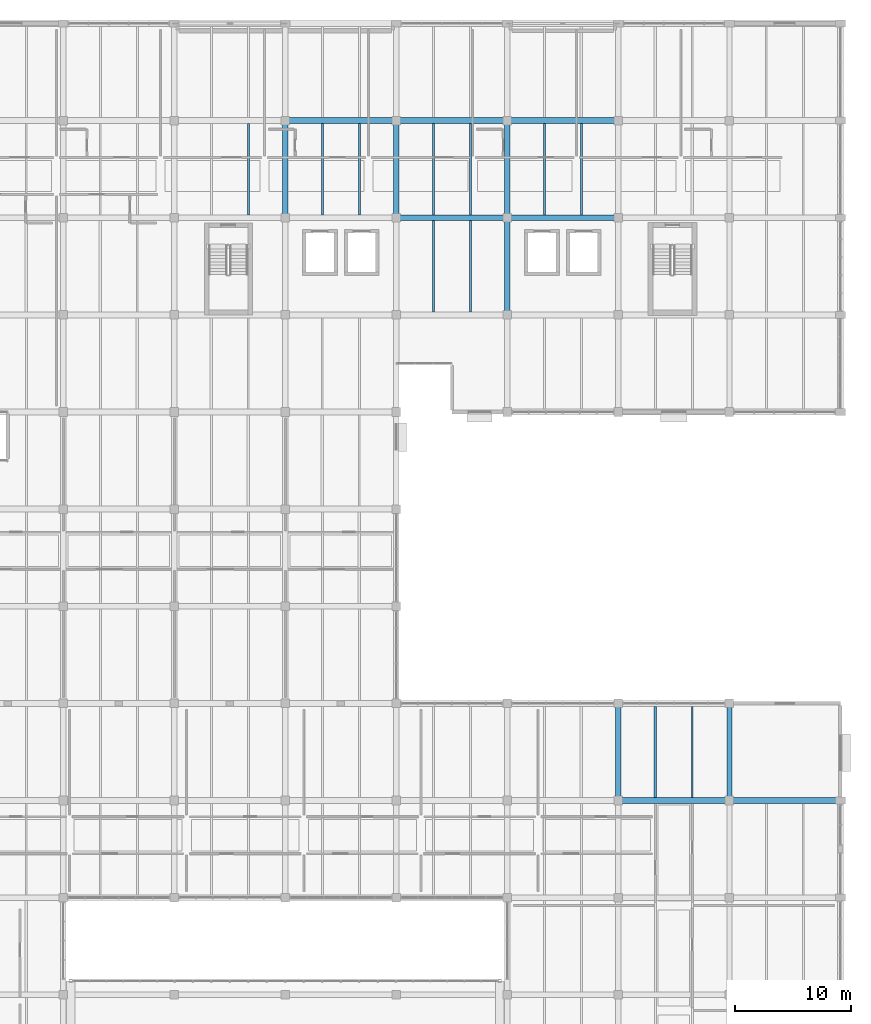
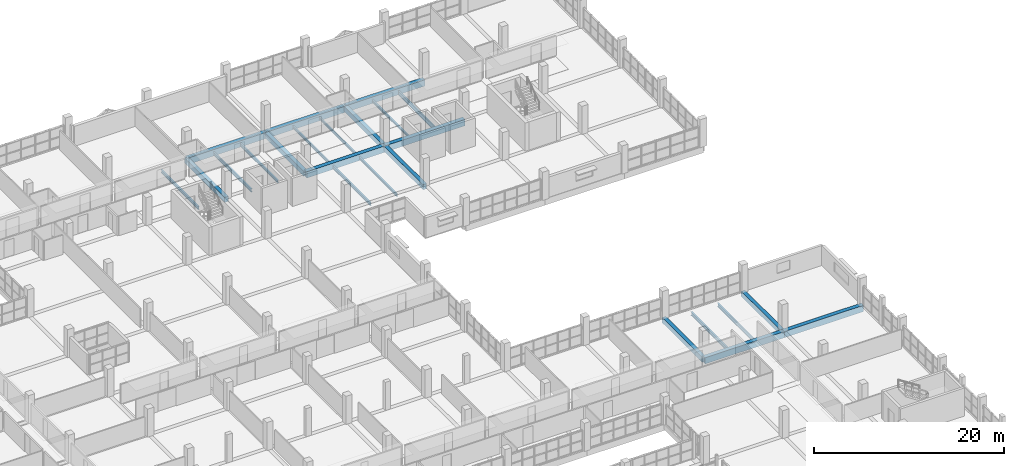
# One storey, part 81 of 147: 24 beams.
"""IFC4 building model written with IfcOpenShell, lengths in metres."""

from ifc_helpers import new_model, si_unit, direction, frame, origin, origin_2d, place, context, subcontext, project, spatial, rectangle, i_section, extrude, material, material_profile, profile_set, type_object, element, save


model = new_model("IFC4")

# Units and contexts
model_context = context("Model", 3, precision=1e-05, world=origin(), true_north=direction((0.0, 1.0)))
body_context = subcontext(model_context, "Body", "Model", "MODEL_VIEW")
ifc_project = project(units=[si_unit("LENGTHUNIT", "METRE"), si_unit("AREAUNIT", "SQUARE_METRE"), si_unit("VOLUMEUNIT", "CUBIC_METRE"), si_unit("PLANEANGLEUNIT", "RADIAN"), si_unit("MASSUNIT", "GRAM", prefix="KILO")], contexts=[model_context])

# Site, building, storey
site_placement = place(None, origin())
site = spatial("IfcSite", under=ifc_project, at=site_placement, CompositionType="ELEMENT")
building_placement = place(site_placement, origin())
building = spatial("IfcBuilding", under=site, at=building_placement, Name="Oolite Switchyard Hospital", CompositionType="ELEMENT")
storey_placement = place(building_placement, frame((0.0, 0.0, 9.89990234375)))
storey = spatial("IfcBuildingStorey", under=building, at=storey_placement, Name="L02", CompositionType="ELEMENT", Elevation=9.89990234375)

# Beams
ifc_material_1 = material(Name="Concrete C40/50", Category="concrete")
ifc_material_profile_1 = material_profile(ifc_material_1, rectangle(XDim=0.449951171875, YDim=0.64990234375, at=origin_2d()), Name="RCB450X650")
ifc_profile_set_1 = profile_set([ifc_material_profile_1], Name="Concrete C40/50")
beam_type_1 = type_object("IfcBeamType", Name="BM-RC450X650", PredefinedType="BEAM", material=ifc_profile_set_1)
for number, where, z_axis, x_axis, name in (
    (1, (163.199951171875, 117.60009765625, -0.324951171875), (0.0, 1.0, 0.0), (-1.0, 0.0, 0.0), "L02 Y-Girder 1452"),
    (2, (172.800048828125, 117.60009765625, -0.324951171875), (0.0, 1.0, 0.0), (-1.0, 0.0, 0.0), "L02 Y-Girder 1463"),
):
    element("IfcBeam", number, at=place(storey_placement, frame(where, z_axis=z_axis, x_axis=x_axis)), inside=storey, type_object=beam_type_1, Name=name, PredefinedType="BEAM", context=body_context, shape_type="SweptSolid", body=[
        extrude(rectangle(XDim=0.449951171875, YDim=0.64990234375, at=origin_2d()), origin(), (0.0, 0.0, 1.0), 8.39990234375),
    ])
beam_1_placement = place(storey_placement, frame((182.39990234375, 109.199951171875, -0.324951171875), z_axis=(0.0, 1.0, 0.0), x_axis=(-1.0, 0.0, 0.0)))
element("IfcBeam", 3, at=beam_1_placement, inside=storey, type_object=beam_type_1, Name="L02 Y-Girder 1476", PredefinedType="BEAM", context=body_context, shape_type="SweptSolid", body=[
    extrude(rectangle(XDim=0.449951171875, YDim=0.64990234375, at=origin_2d()), origin(), (0.0, 0.0, 1.0), 8.400146484375),
])
beam_2_placement = place(storey_placement, frame((182.39990234375, 117.60009765625, -0.324951171875), z_axis=(0.0, 1.0, 0.0), x_axis=(-1.0, 0.0, 0.0)))
element("IfcBeam", 4, at=beam_2_placement, inside=storey, type_object=beam_type_1, Name="L02 Y-Girder 1477", PredefinedType="BEAM", context=body_context, shape_type="SweptSolid", body=[
    extrude(rectangle(XDim=0.449951171875, YDim=0.64990234375, at=origin_2d()), origin(), (0.0, 0.0, 1.0), 8.39990234375),
])
for number, where, z_axis, x_axis, name in (
    (5, (192.0, 67.199951171875, -0.324951171875), (0.0, 1.0, 0.0), (-1.0, 0.0, 0.0), "L02 Y-Girder 1486"),
    (6, (201.60009765625, 67.199951171875, -0.324951171875), (0.0, 1.0, 0.0), (-1.0, 0.0, 0.0), "L02 Y-Girder 1498"),
):
    element("IfcBeam", number, at=place(storey_placement, frame(where, z_axis=z_axis, x_axis=x_axis)), inside=storey, type_object=beam_type_1, Name=name, PredefinedType="BEAM", context=body_context, shape_type="SweptSolid", body=[
        extrude(rectangle(XDim=0.449951171875, YDim=0.64990234375, at=origin_2d()), origin(), (0.0, 0.0, 1.0), 8.400146484375),
    ])
ifc_material_profile_2 = material_profile(ifc_material_1, rectangle(XDim=0.5, YDim=0.800048828125, at=origin_2d()), Name="RCB500X800")
ifc_profile_set_2 = profile_set([ifc_material_profile_2], Name="Concrete C40/50")
beam_type_2 = type_object("IfcBeamType", Name="BM-RC500X800", PredefinedType="BEAM", material=ifc_profile_set_2)
beam_3_placement = place(storey_placement, frame((192.0, 67.199951171875, -0.39990234375), z_axis=(1.0, 0.0, 0.0), x_axis=(0.0, 1.0, 0.0)))
element("IfcBeam", 7, at=beam_3_placement, inside=storey, type_object=beam_type_2, Name="L02 X-Girder 1108", PredefinedType="BEAM", context=body_context, shape_type="SweptSolid", body=[
    extrude(rectangle(XDim=0.5, YDim=0.800048828125, at=origin_2d()), origin(), (0.0, 0.0, 1.0), 9.60009765625),
])
for number, where, z_axis, x_axis, name in (
    (8, (201.60009765625, 67.199951171875, -0.39990234375), (1.0, 0.0, 0.0), (0.0, 1.0, 0.0), "L02 X-Girder 1109"),
    (9, (172.800048828125, 117.60009765625, -0.39990234375), (1.0, 0.0, 0.0), (0.0, 1.0, 0.0), "L02 X-Girder 1215"),
):
    element("IfcBeam", number, at=place(storey_placement, frame(where, z_axis=z_axis, x_axis=x_axis)), inside=storey, type_object=beam_type_2, Name=name, PredefinedType="BEAM", context=body_context, shape_type="SweptSolid", body=[
        extrude(rectangle(XDim=0.5, YDim=0.800048828125, at=origin_2d()), origin(), (0.0, 0.0, 1.0), 9.599853515625),
    ])
for number, where, z_axis, x_axis, name in (
    (10, (182.39990234375, 117.60009765625, -0.39990234375), (1.0, 0.0, 0.0), (0.0, 1.0, 0.0), "L02 X-Girder 1216"),
    (11, (163.199951171875, 126.0, -0.39990234375), (1.0, 0.0, 0.0), (0.0, 1.0, 0.0), "L02 X-Girder 1230"),
):
    element("IfcBeam", number, at=place(storey_placement, frame(where, z_axis=z_axis, x_axis=x_axis)), inside=storey, type_object=beam_type_2, Name=name, PredefinedType="BEAM", context=body_context, shape_type="SweptSolid", body=[
        extrude(rectangle(XDim=0.5, YDim=0.800048828125, at=origin_2d()), origin(), (0.0, 0.0, 1.0), 9.60009765625),
    ])
beam_4_placement = place(storey_placement, frame((172.800048828125, 126.0, -0.39990234375), z_axis=(1.0, 0.0, 0.0), x_axis=(0.0, 1.0, 0.0)))
element("IfcBeam", 12, at=beam_4_placement, inside=storey, type_object=beam_type_2, Name="L02 X-Girder 1231", PredefinedType="BEAM", context=body_context, shape_type="SweptSolid", body=[
    extrude(rectangle(XDim=0.5, YDim=0.800048828125, at=origin_2d()), origin(), (0.0, 0.0, 1.0), 9.599853515625),
])
beam_5_placement = place(storey_placement, frame((182.39990234375, 126.0, -0.39990234375), z_axis=(1.0, 0.0, 0.0), x_axis=(0.0, 1.0, 0.0)))
element("IfcBeam", 13, at=beam_5_placement, inside=storey, type_object=beam_type_2, Name="L02 X-Girder 1232", PredefinedType="BEAM", context=body_context, shape_type="SweptSolid", body=[
    extrude(rectangle(XDim=0.5, YDim=0.800048828125, at=origin_2d()), origin(), (0.0, 0.0, 1.0), 9.60009765625),
])
ifc_material_2 = material(Name="Steel ASTM A992 Grade 50", Category="steel")
ifc_material_profile_3 = material_profile(ifc_material_2, i_section(OverallWidth=0.1650390625, OverallDepth=0.31005859375, WebThickness=0.006103515625, FlangeThickness=0.010009765625, at=origin_2d()), Name="W12X26")
ifc_profile_set_3 = profile_set([ifc_material_profile_3], Name="Steel ASTM A992 Grade 50")
beam_type_3 = type_object("IfcBeamType", Name="BM-W12X26", PredefinedType="JOIST", material=ifc_profile_set_3)
for number, where, z_axis, x_axis, name in (
    (14, (179.199951171875, 117.85009765625, -0.414794921875), (0.0, 1.0, 0.0), (-1.0, 0.0, 0.0), "L02 Secondary Steel Joist 1863"),
    (15, (185.60009765625, 117.85009765625, -0.414794921875), (0.0, 1.0, 0.0), (-1.0, 0.0, 0.0), "L02 Secondary Steel Joist 1884"),
):
    element("IfcBeam", number, at=place(storey_placement, frame(where, z_axis=z_axis, x_axis=x_axis)), inside=storey, type_object=beam_type_3, Name=name, PredefinedType="JOIST", context=body_context, shape_type="SweptSolid", body=[
        extrude(i_section(OverallWidth=0.1650390625, OverallDepth=0.31005859375, WebThickness=0.006103515625, FlangeThickness=0.010009765625, at=origin_2d()), origin(), (0.0, 0.0, 1.0), 7.89990234375),
    ])
ifc_material_profile_4 = material_profile(ifc_material_2, i_section(OverallWidth=0.1708984375, OverallDepth=0.35107421875, WebThickness=0.007080078125, FlangeThickness=0.010009765625, at=origin_2d()), Name="W14X30")
ifc_profile_set_4 = profile_set([ifc_material_profile_4], Name="Steel ASTM A992 Grade 50")
beam_type_4 = type_object("IfcBeamType", Name="BM-W14X30", PredefinedType="JOIST", material=ifc_profile_set_4)
beam_6_placement = place(storey_placement, frame((169.60009765625, 117.85009765625, -0.434814453125), z_axis=(0.0, 1.0, 0.0), x_axis=(-1.0, 0.0, 0.0)))
element("IfcBeam", 16, at=beam_6_placement, inside=storey, type_object=beam_type_4, Name="L02 Secondary Steel Joist 1849", PredefinedType="JOIST", context=body_context, shape_type="SweptSolid", body=[
    extrude(i_section(OverallWidth=0.1708984375, OverallDepth=0.35107421875, WebThickness=0.007080078125, FlangeThickness=0.010009765625, at=origin_2d()), origin(), (0.0, 0.0, 1.0), 7.89990234375),
])
beam_7_placement = place(storey_placement, frame((179.199951171875, 109.449951171875, -0.434814453125), z_axis=(0.0, 1.0, 0.0), x_axis=(-1.0, 0.0, 0.0)))
element("IfcBeam", 17, at=beam_7_placement, inside=storey, type_object=beam_type_4, Name="L02 Secondary Steel Joist 1861", PredefinedType="JOIST", context=body_context, shape_type="SweptSolid", body=[
    extrude(i_section(OverallWidth=0.1708984375, OverallDepth=0.35107421875, WebThickness=0.007080078125, FlangeThickness=0.010009765625, at=origin_2d()), origin(), (0.0, 0.0, 1.0), 7.900146484375),
])
beam_8_placement = place(storey_placement, frame((176.0, 117.85009765625, -0.434814453125), z_axis=(0.0, 1.0, 0.0), x_axis=(-1.0, 0.0, 0.0)))
element("IfcBeam", 18, at=beam_8_placement, inside=storey, type_object=beam_type_4, Name="L02 Secondary Steel Joist 1862", PredefinedType="JOIST", context=body_context, shape_type="SweptSolid", body=[
    extrude(i_section(OverallWidth=0.1708984375, OverallDepth=0.35107421875, WebThickness=0.007080078125, FlangeThickness=0.010009765625, at=origin_2d()), origin(), (0.0, 0.0, 1.0), 7.89990234375),
])
ifc_material_profile_5 = material_profile(ifc_material_2, i_section(OverallWidth=0.177978515625, OverallDepth=0.403076171875, WebThickness=0.008056640625, FlangeThickness=0.010986328125, at=origin_2d()), Name="W16X36")
ifc_profile_set_5 = profile_set([ifc_material_profile_5], Name="Steel ASTM A992 Grade 50")
beam_type_5 = type_object("IfcBeamType", Name="BM-W16X36", PredefinedType="JOIST", material=ifc_profile_set_5)
for number, where, z_axis, x_axis, name in (
    (19, (160.0, 117.85009765625, -0.4609375), (0.0, 1.0, 0.0), (-1.0, 0.0, 0.0), "L02 Secondary Steel Joist 1829"),
    (20, (166.39990234375, 117.85009765625, -0.4609375), (0.0, 1.0, 0.0), (-1.0, 0.0, 0.0), "L02 Secondary Steel Joist 1848"),
):
    element("IfcBeam", number, at=place(storey_placement, frame(where, z_axis=z_axis, x_axis=x_axis)), inside=storey, type_object=beam_type_5, Name=name, PredefinedType="JOIST", context=body_context, shape_type="SweptSolid", body=[
        extrude(i_section(OverallWidth=0.177978515625, OverallDepth=0.403076171875, WebThickness=0.008056640625, FlangeThickness=0.010986328125, at=origin_2d()), origin(), (0.0, 0.0, 1.0), 7.89990234375),
    ])
beam_9_placement = place(storey_placement, frame((176.0, 109.449951171875, -0.4609375), z_axis=(0.0, 1.0, 0.0), x_axis=(-1.0, 0.0, 0.0)))
element("IfcBeam", 21, at=beam_9_placement, inside=storey, type_object=beam_type_5, Name="L02 Secondary Steel Joist 1860", PredefinedType="JOIST", context=body_context, shape_type="SweptSolid", body=[
    extrude(i_section(OverallWidth=0.177978515625, OverallDepth=0.403076171875, WebThickness=0.008056640625, FlangeThickness=0.010986328125, at=origin_2d()), origin(), (0.0, 0.0, 1.0), 7.900146484375),
])
ifc_material_profile_6 = material_profile(ifc_material_2, i_section(OverallWidth=0.153076171875, OverallDepth=0.455078125, WebThickness=0.008056640625, FlangeThickness=0.012939453125, at=origin_2d()), Name="W18X40")
ifc_profile_set_6 = profile_set([ifc_material_profile_6], Name="Steel ASTM A992 Grade 50")
beam_type_6 = type_object("IfcBeamType", Name="BM-W18X40", PredefinedType="JOIST", material=ifc_profile_set_6)
beam_10_placement = place(storey_placement, frame((198.39990234375, 67.449951171875, -0.48681640625), z_axis=(0.0, 1.0, 0.0), x_axis=(-1.0, 0.0, 0.0)))
element("IfcBeam", 22, at=beam_10_placement, inside=storey, type_object=beam_type_6, Name="L02 Secondary Steel Joist 1903", PredefinedType="JOIST", context=body_context, shape_type="SweptSolid", body=[
    extrude(i_section(OverallWidth=0.153076171875, OverallDepth=0.455078125, WebThickness=0.008056640625, FlangeThickness=0.012939453125, at=origin_2d()), origin(), (0.0, 0.0, 1.0), 7.900146484375),
])
ifc_material_profile_7 = material_profile(ifc_material_2, i_section(OverallWidth=0.19091796875, OverallDepth=0.4599609375, WebThickness=0.010009765625, FlangeThickness=0.01611328125, at=origin_2d()), Name="W18X55")
ifc_profile_set_7 = profile_set([ifc_material_profile_7], Name="Steel ASTM A992 Grade 50")
beam_type_7 = type_object("IfcBeamType", Name="BM-W18X55", PredefinedType="JOIST", material=ifc_profile_set_7)
beam_11_placement = place(storey_placement, frame((195.199951171875, 67.449951171875, -0.489990234375), z_axis=(0.0, 1.0, 0.0), x_axis=(-1.0, 0.0, 0.0)))
element("IfcBeam", 23, at=beam_11_placement, inside=storey, type_object=beam_type_7, Name="L02 Secondary Steel Joist 1902", PredefinedType="JOIST", context=body_context, shape_type="SweptSolid", body=[
    extrude(i_section(OverallWidth=0.19091796875, OverallDepth=0.4599609375, WebThickness=0.010009765625, FlangeThickness=0.01611328125, at=origin_2d()), origin(), (0.0, 0.0, 1.0), 7.900146484375),
])
ifc_material_profile_8 = material_profile(ifc_material_2, i_section(OverallWidth=0.166015625, OverallDepth=0.529052734375, WebThickness=0.010009765625, FlangeThickness=0.013916015625, at=origin_2d()), Name="W21X50")
ifc_profile_set_8 = profile_set([ifc_material_profile_8], Name="Steel ASTM A992 Grade 50")
beam_type_8 = type_object("IfcBeamType", Name="BM-W21X50", PredefinedType="JOIST", material=ifc_profile_set_8)
beam_12_placement = place(storey_placement, frame((188.800048828125, 117.85009765625, -0.52392578125), z_axis=(0.0, 1.0, 0.0), x_axis=(-1.0, 0.0, 0.0)))
element("IfcBeam", 24, at=beam_12_placement, inside=storey, type_object=beam_type_8, Name="L02 Secondary Steel Joist 1885", PredefinedType="JOIST", context=body_context, shape_type="SweptSolid", body=[
    extrude(i_section(OverallWidth=0.166015625, OverallDepth=0.529052734375, WebThickness=0.010009765625, FlangeThickness=0.013916015625, at=origin_2d()), origin(), (0.0, 0.0, 1.0), 7.89990234375),
])

save(model, "model.ifc")
